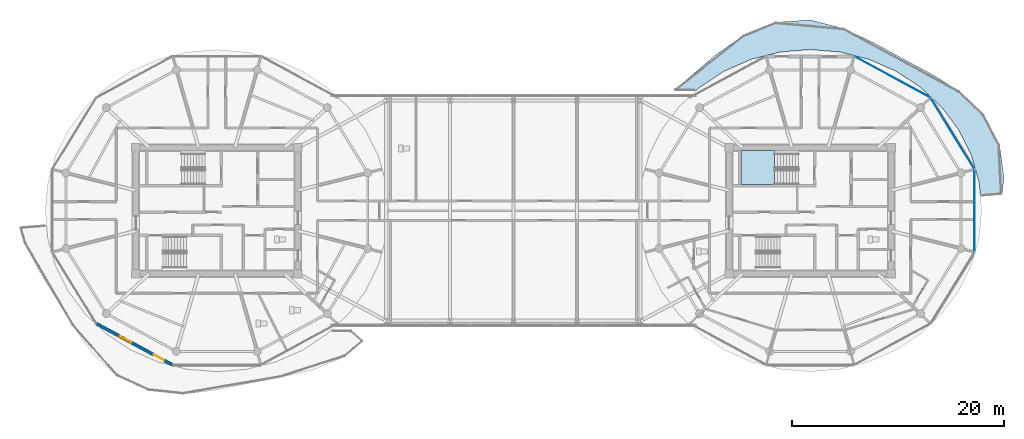
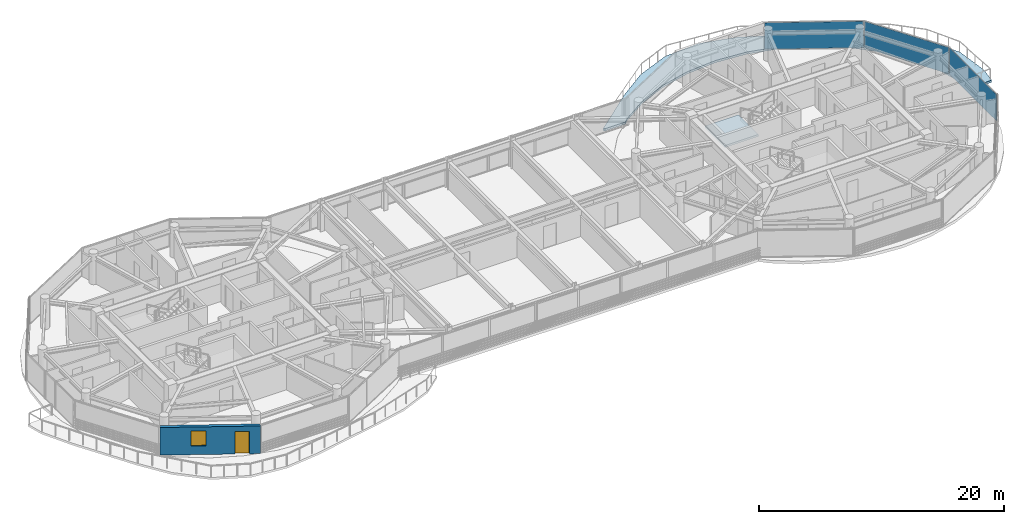
# One storey, part 13 of 24: 3 plates, 2 slabs, 1 door, 1 wall, 1 window, 2 openings, 4 elements without a shape of their own.
"""IFC4 building model written with IfcOpenShell, lengths in metres."""

from ifc_helpers import new_model, si_unit, direction, frame, frame_2d, origin, origin_2d, place, context, subcontext, project, spatial, polyline, rectangle, outline, extrude, source, transform, mapped, material, layer, layer_set, type_object, type_shapes, element, fill, aggregate, save


model = new_model("IFC4")

# Units and contexts
model_context = context("Model", 3, precision=1e-05, world=origin(), true_north=direction((0.0, 1.0)))
body_context = subcontext(model_context, "Body", "Model", "MODEL_VIEW")
ifc_project = project(units=[si_unit("LENGTHUNIT", "METRE"), si_unit("AREAUNIT", "SQUARE_METRE"), si_unit("VOLUMEUNIT", "CUBIC_METRE"), si_unit("PLANEANGLEUNIT", "RADIAN"), si_unit("MASSUNIT", "GRAM", prefix="KILO")], contexts=[model_context])

# Site, building, storey
site_placement = place(None, origin())
site = spatial("IfcSite", under=ifc_project, at=site_placement, CompositionType="ELEMENT")
building_placement = place(site_placement, origin())
building = spatial("IfcBuilding", under=site, at=building_placement, Name="Norrkilde Senior Care Towers", CompositionType="ELEMENT")
storey_placement = place(building_placement, frame((0.0, 0.0, 226.10009765625)))
storey = spatial("IfcBuildingStorey", under=building, at=storey_placement, Name="L70", CompositionType="ELEMENT", Elevation=226.10009765625)

# Slab
ifc_material_1 = material(Name="Concrete C50/60", Category="concrete")
ifc_layer_1 = layer(ifc_material_1, 0.215087890625)
ifc_layer_set_1 = layer_set([ifc_layer_1], Name="Concrete C50/60")
slab_type_1 = type_object("IfcSlabType", Name="Sinusoidal Balcony Ribbon Slab 215", PredefinedType="FLOOR", material=ifc_layer_set_1)
slab_1_placement = place(storey_placement, frame((0.0, 0.0, -0.215087890625)))
element("IfcSlab", 1, at=slab_1_placement, inside=storey, type_object=slab_type_1, Name="L70 Drum E Swirling Senior Balcony 1", PredefinedType="FLOOR", context=body_context, shape_type="SweptSolid", body=[
    extrude(outline(polyline([(21.686767578125, 16.545166015625), (24.72119140625, 17.7841796875), (28.0, 17.99609375), (31.181884765625, 17.1982421875), (34.06640625, 15.82275390625), (36.742919921875, 14.3505859375), (39.41943359375, 12.922119140625), (42.09423828125, 11.276611328125), (44.4111328125, 9.0654296875), (45.883056640625, 6.230712890625), (46.302734375, 3.080810546875), (46.116943359375, 1.513671875), (44.079833984375, 1.343505859375), (43.958740234375, 2.640380859375), (43.227783203125, 5.200439453125), (42.033935546875, 7.6025390625), (40.413818359375, 9.773681640625), (38.416259765625, 11.647705078125), (36.1025390625, 13.16796875), (33.54248046875, 14.2880859375), (30.81396484375, 14.97412109375), (28.0, 15.205078125), (25.18603515625, 14.97412109375), (22.45751953125, 14.2880859375), (19.8974609375, 13.16796875), (17.583740234375, 11.647705078125), (17.213134765625, 11.300048828125), (15.310546875, 11.300048828125), (15.187255859375, 11.409912109375), (16.744384765625, 12.7138671875), (19.072509765625, 14.69140625), (21.686767578125, 16.545166015625)])), origin(), (0.0, 0.0, 1.0), 0.215087890625),
])

# Stair, slab
ifc_material_2 = material(Name="Concrete C45/55", Category="concrete")
stair_type = type_object("IfcStairType", Name="Core Protected Dogleg Stair Typical 3050", PredefinedType="HALF_TURN_STAIR", material=ifc_material_2)
stair_placement = place(storey_placement, origin())
stair = element("IfcStair", 2, at=stair_placement, inside=storey, type_object=stair_type, Name="L70 Protected Core Stair E1", PredefinedType="HALF_TURN_STAIR")
ifc_layer_2 = layer(ifc_material_2, 0.199951171875)
ifc_layer_set_2 = layer_set([ifc_layer_2], Name="Concrete C45/55")
slab_type_2 = type_object("IfcSlabType", Name="Stair Landing Slab 200", PredefinedType="LANDING", material=ifc_layer_set_2)
slab_2_placement = place(storey_placement, frame((0.0, 0.0, 1.324951171875)))
slab_2 = element("IfcSlab", 3, at=slab_2_placement, type_object=slab_type_2, Name="ST-E1 landing 1", PredefinedType="LANDING", context=body_context, shape_type="SweptSolid", body=[
    extrude(outline(polyline([(24.659912109375, 5.68994140625), (21.5, 5.68994140625), (21.5, 2.449951171875), (24.659912109375, 2.449951171875), (24.659912109375, 5.68994140625)])), origin(), (0.0, 0.0, 1.0), 0.199951171875),
])
aggregate(stair, [slab_2])

# Curtain wall, plate
ifc_material_3 = material(Name="Triple Low-E Insulated Glazing", Category="glass")
ifc_layer_3 = layer(ifc_material_3, 0.18505859375)
ifc_layer_set_3 = layer_set([ifc_layer_3], Name="Triple Low-E Insulated Glazing")
curtain_wall_type = type_object("IfcCurtainWallType", Name="CW6 Zone 4 Crown Pavilion Curtain Wall", PredefinedType="NOTDEFINED", material=ifc_layer_set_3)
curtain_wall_1_placement = place(storey_placement, origin())
curtain_wall_1 = element("IfcCurtainWall", 4, at=curtain_wall_1_placement, inside=storey, type_object=curtain_wall_type, Name="L70 Drum E Curtain Wall 00", PredefinedType="NOTDEFINED")
ifc_layer_4 = layer(ifc_material_3, 0.035888671875)
ifc_layer_set_4 = layer_set([ifc_layer_4], Name="Triple Low-E Insulated Glazing")
plate_type = type_object("IfcPlateType", Name="Triple Low-E Vision Curtain Panel 36", PredefinedType="CURTAIN_PANEL", material=ifc_layer_set_4)
shared_shape_1 = source(origin(), body_context, "Body", "SweptSolid", [
    extrude(rectangle(XDim=7.80859375, YDim=0.035888671875, at=origin_2d()), origin(), (0.0, 0.0, 1.0), 2.639892578125),
])
plate_1_placement = place(storey_placement, frame((41.451171875, 7.282958984375, 0.06005859375), z_axis=(0.0, 0.0, 1.0), x_axis=(0.524252726748, -0.851562727283, 0.0)))
plate_1 = element("IfcPlate", 5, at=plate_1_placement, type_object=plate_type, Name="CW-6 panel 1.1", PredefinedType="CURTAIN_PANEL", context=body_context, shape_type="MappedRepresentation", body=[
    mapped(shared_shape_1, transform((0.0, 0.0, 0.0), x_axis=(1.0, 0.0, 0.0), y_axis=(0.0, 1.0, 0.0), z_axis=(0.0, 0.0, 1.0), scale=1.0)),
])
aggregate(curtain_wall_1, [plate_1])

curtain_wall_2_placement = place(storey_placement, origin())
curtain_wall_2 = element("IfcCurtainWall", 6, at=curtain_wall_2_placement, inside=storey, type_object=curtain_wall_type, Name="L70 Drum E Curtain Wall 01", PredefinedType="NOTDEFINED")
shared_shape_2 = source(origin(), body_context, "Body", "SweptSolid", [
    extrude(rectangle(XDim=8.0673828125, YDim=0.035888671875, at=origin_2d()), origin(), (0.0, 0.0, 1.0), 2.639892578125),
])
plate_2_placement = place(storey_placement, frame((35.76611328125, 12.61474609375, 0.06005859375), z_axis=(0.0, 0.0, 1.0), x_axis=(0.879373455772, -0.476132676136, 0.0)))
plate_2 = element("IfcPlate", 7, at=plate_2_placement, type_object=plate_type, Name="CW-6 panel 1.1", PredefinedType="CURTAIN_PANEL", context=body_context, shape_type="MappedRepresentation", body=[
    mapped(shared_shape_2, transform((0.0, 0.0, 0.0), x_axis=(1.0, 0.0, 0.0), y_axis=(0.0, 1.0, 0.0), z_axis=(0.0, 0.0, 1.0), scale=1.0)),
])
aggregate(curtain_wall_2, [plate_2])

curtain_wall_3_placement = place(storey_placement, origin())
curtain_wall_3 = element("IfcCurtainWall", 8, at=curtain_wall_3_placement, inside=storey, type_object=curtain_wall_type, Name="L70 Drum E Curtain Wall 11", PredefinedType="NOTDEFINED")
shared_shape_3 = source(origin(), body_context, "Body", "SweptSolid", [
    extrude(rectangle(XDim=7.676025390625, YDim=0.035888671875, at=origin_2d()), origin(), (0.0, 0.0, 1.0), 2.639892578125),
])
type_shapes(plate_type, [shared_shape_1, shared_shape_2, shared_shape_3])
plate_3_placement = place(storey_placement, frame((43.531982421875, 0.0, 0.06005859375), z_axis=(0.0, 0.0, 1.0), x_axis=(0.0, -1.0, 0.0)))
plate_3 = element("IfcPlate", 9, at=plate_3_placement, type_object=plate_type, Name="CW-6 panel 1.1", PredefinedType="CURTAIN_PANEL", context=body_context, shape_type="MappedRepresentation", body=[
    mapped(shared_shape_3, transform((0.0, 0.0, 0.0), x_axis=(1.0, 0.0, 0.0), y_axis=(0.0, 1.0, 0.0), z_axis=(0.0, 0.0, 1.0), scale=1.0)),
])
aggregate(curtain_wall_3, [plate_3])

# Wall, openings, door, window
ifc_material_4 = material(Name="Precast concrete C45/55", Category="concrete")
ifc_layer_5 = layer(ifc_material_4, 0.2900390625)
ifc_layer_set_5 = layer_set([ifc_layer_5], Name="Precast concrete C45/55")
wall_type = type_object("IfcWallType", Name="Winter Garden Facade Wall 290", PredefinedType="SOLIDWALL", material=ifc_layer_set_5)
shared_shape_4 = source(origin(), body_context, "Body", "SweptSolid", [
    extrude(rectangle(XDim=8.197265625, YDim=0.2900390625, at=frame_2d((4.0986328125, 0.0))), origin(), (0.0, 0.0, 1.0), 2.760009765625),
])
type_shapes(wall_type, [shared_shape_4])
wall_placement = place(storey_placement, frame((-32.161865234375, -14.566162109375, 0.0), z_axis=(0.0, 0.0, 1.0), x_axis=(-0.879369910001, 0.476139224791, 0.0)))
wall = element("IfcWall", 10, at=wall_placement, inside=storey, type_object=wall_type, Name="L70 Drum W Balcony Access Wall 07", PredefinedType="SOLIDWALL", context=body_context, shape_type="MappedRepresentation", body=[
    mapped(shared_shape_4, transform((0.0, 0.0, 0.0), x_axis=(1.0, 0.0, 0.0), y_axis=(0.0, 1.0, 0.0), z_axis=(0.0, 0.0, 1.0), scale=1.0)),
])
opening_1_placement = place(wall_placement, frame((0.89990234375, 0.0, 0.0)))
opening_1 = element("IfcOpeningElement", 11, at=opening_1_placement, cuts=wall, Name="Opening D-09", PredefinedType="OPENING", context=body_context, shape_type="SweptSolid", body=[
    extrude(rectangle(XDim=1.14990234375, YDim=2.25, at=frame_2d((0.574951171875, 1.125))), frame((0.0, 0.155029296875, 0.0), z_axis=(0.0, -1.0, 0.0), x_axis=(1.0, 0.0, 0.0)), (0.0, 0.0, 1.0), 0.31005859375),
])
opening_2_placement = place(wall_placement, frame((4.448486328125, 0.0, 0.85009765625)))
opening_2 = element("IfcOpeningElement", 12, at=opening_2_placement, cuts=wall, Name="Opening WN-07", PredefinedType="OPENING", context=body_context, shape_type="SweptSolid", body=[
    extrude(rectangle(XDim=1.199951171875, YDim=1.5, at=frame_2d((0.60009765625, 0.75))), frame((0.0, 0.155029296875, 0.0), z_axis=(0.0, -1.0, 0.0), x_axis=(1.0, 0.0, 0.0)), (0.0, 0.0, 1.0), 0.31005859375),
])
ifc_material_5 = material(Name="Anodised Aluminium", Category="aluminium")
door_type = type_object("IfcDoorType", Name="Terrace and Balcony Glazed Door 1150x2250", OperationType="NOTDEFINED", PredefinedType="DOOR", material=ifc_material_5)
shared_shape_5 = source(origin(), body_context, "Body", "SweptSolid", [
    extrude(rectangle(XDim=1.14990234375, YDim=2.25, at=frame_2d((0.574951171875, 1.125))), frame((0.0, 0.02490234375, 0.0), z_axis=(0.0, -1.0, 0.0), x_axis=(1.0, 0.0, 0.0)), (0.0, 0.0, 1.0), 0.050048828125),
])
type_shapes(door_type, [shared_shape_5])
door_placement = place(opening_1_placement, origin())
door = element("IfcDoor", 13, at=door_placement, inside=storey, type_object=door_type, Name="L70 Drum W Outdoor Terrace Door 07", OperationType="SINGLE_SWING_RIGHT", OverallHeight=2.25, OverallWidth=1.14990234375, PredefinedType="DOOR", context=body_context, shape_type="MappedRepresentation", body=[
    mapped(shared_shape_5, transform((0.0, 0.0, 0.0), x_axis=(1.0, 0.0, 0.0), y_axis=(0.0, 1.0, 0.0), z_axis=(0.0, 0.0, 1.0), scale=1.0)),
])
fill(opening_1, door)
window_type = type_object("IfcWindowType", Name="Stairwell Smoke Vent Window 1200x1500", PartitioningType="SINGLE_PANEL", PredefinedType="WINDOW", material=ifc_material_3)
shared_shape_6 = source(origin(), body_context, "Body", "SweptSolid", [
    extrude(rectangle(XDim=1.199951171875, YDim=1.5, at=frame_2d((0.60009765625, 0.75))), frame((0.0, 0.030029296875, 0.0), z_axis=(0.0, -1.0, 0.0), x_axis=(1.0, 0.0, 0.0)), (0.0, 0.0, 1.0), 0.06005859375),
])
type_shapes(window_type, [shared_shape_6])
window_placement = place(opening_2_placement, origin())
window = element("IfcWindow", 14, at=window_placement, inside=storey, type_object=window_type, Name="L70 Drum W Winter Garden Window 07", OverallHeight=1.5, OverallWidth=1.199951171875, PartitioningType="SINGLE_PANEL", PredefinedType="WINDOW", context=body_context, shape_type="MappedRepresentation", body=[
    mapped(shared_shape_6, transform((0.0, 0.0, 0.0), x_axis=(1.0, 0.0, 0.0), y_axis=(0.0, 1.0, 0.0), z_axis=(0.0, 0.0, 1.0), scale=1.0)),
])
fill(opening_2, window)

save(model, "model.ifc")
